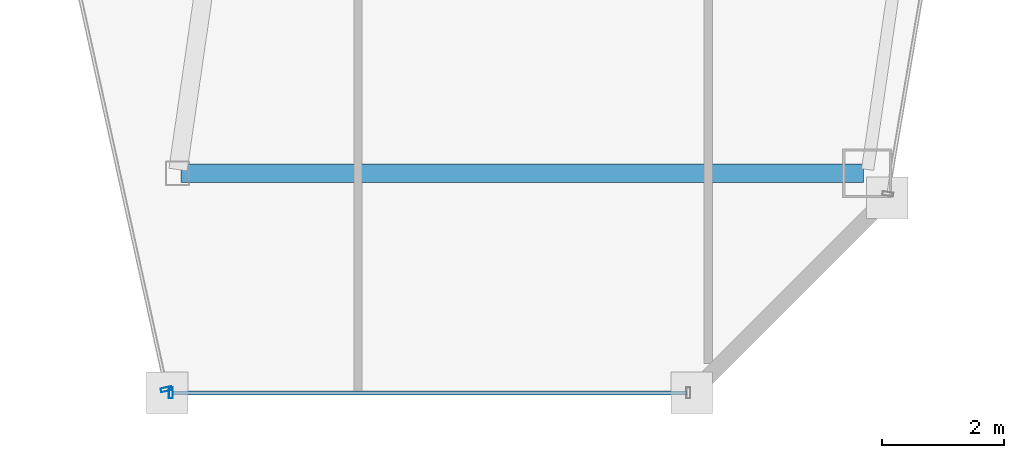
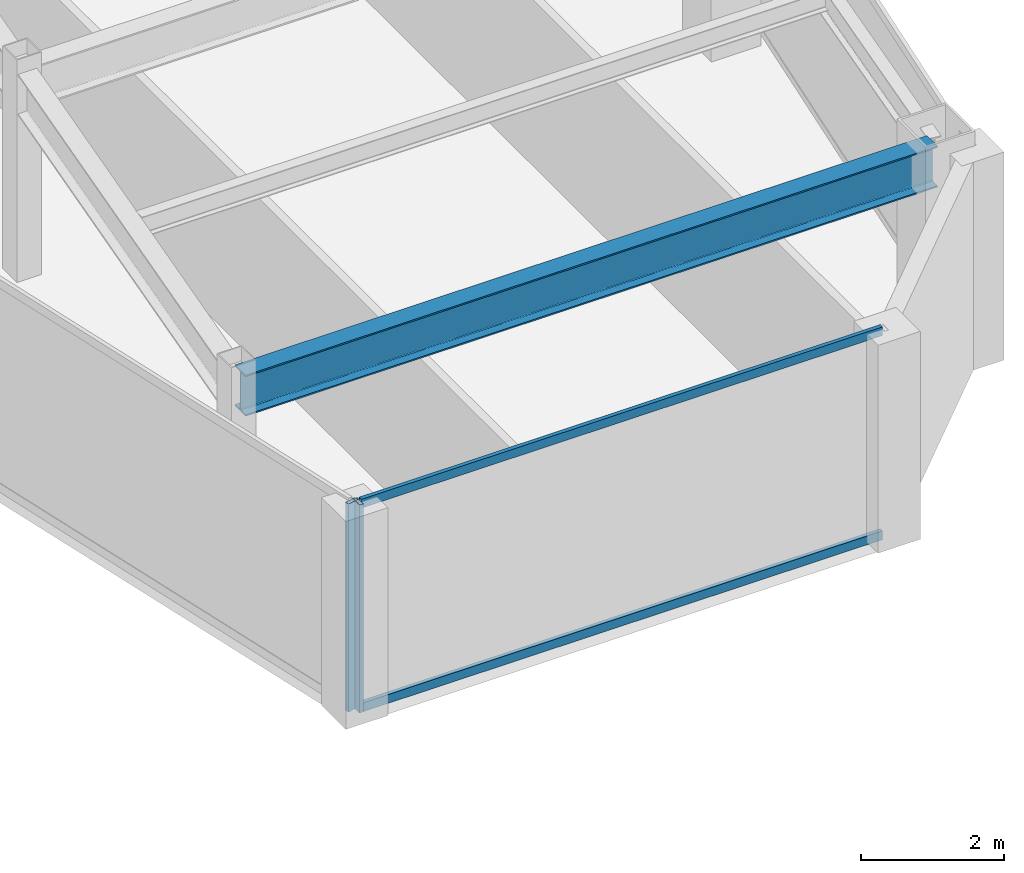
# One storey, part 16 of 36: 4 members, 1 beam, 2 elements without a shape of their own.
"""IFC4 building model written with IfcOpenShell, lengths in metres."""

from ifc_helpers import new_model, si_unit, direction, frame, origin, origin_2d, place, context, subcontext, project, spatial, hollow_rectangle, i_section, extrude, material, material_profile, profile_set, type_object, element, aggregate, save


model = new_model("IFC4")

# Units and contexts
model_context = context("Model", 3, precision=1e-05, world=origin(), true_north=direction((0.0, 1.0)))
body_context = subcontext(model_context, "Body", "Model", "MODEL_VIEW")
ifc_project = project(units=[si_unit("LENGTHUNIT", "METRE"), si_unit("AREAUNIT", "SQUARE_METRE"), si_unit("VOLUMEUNIT", "CUBIC_METRE"), si_unit("PLANEANGLEUNIT", "RADIAN"), si_unit("MASSUNIT", "GRAM", prefix="KILO")], contexts=[model_context])

# Site, building, storey
site_placement = place(None, origin())
site = spatial("IfcSite", under=ifc_project, at=site_placement, CompositionType="ELEMENT")
building_placement = place(site_placement, origin())
building = spatial("IfcBuilding", under=site, at=building_placement, Name="Saevonmaru Cultural Tower", CompositionType="ELEMENT")
storey_placement = place(building_placement, frame((0.0, 0.0, 186.60009765625)))
storey = spatial("IfcBuildingStorey", under=building, at=storey_placement, Name="L42", CompositionType="ELEMENT", Elevation=186.60009765625)

# Beam
ifc_material_1 = material(Name="Steel SM355", Category="steel")
ifc_material_profile_1 = material_profile(ifc_material_1, i_section(OverallWidth=0.300048828125, OverallDepth=0.699951171875, WebThickness=0.012939453125, FlangeThickness=0.02392578125, FilletRadius=0.02587890625, at=origin_2d()), Name="H-700x300x13x24")
ifc_profile_set_1 = profile_set([ifc_material_profile_1], Name="Steel SM355")
beam_type = type_object("IfcBeamType", Name="BM-G-H700", PredefinedType="BEAM", material=ifc_profile_set_1)
beam_placement = place(storey_placement, frame((38.132080078125, 16.0, 3.199951171875), z_axis=(1.0, 0.0, 0.0), x_axis=(0.0, 1.0, 0.0)))
element("IfcBeam", 1, at=beam_placement, inside=storey, type_object=beam_type, Name="L42 East Wing Transverse Girder 1", PredefinedType="BEAM", context=body_context, shape_type="SweptSolid", body=[
    extrude(i_section(OverallWidth=0.300048828125, OverallDepth=0.699951171875, WebThickness=0.012939453125, FlangeThickness=0.02392578125, FilletRadius=0.02587890625, at=origin_2d()), origin(), (0.0, 0.0, 1.0), 11.179931640625),
])

# Curtain wall, member
ifc_material_2 = material(Name="Satin Bronze Anodised Aluminium", Category="aluminium")
curtain_wall_type = type_object("IfcCurtainWallType", Name="CW-TYP-B", PredefinedType="NOTDEFINED", material=ifc_material_2)
curtain_wall_1_placement = place(storey_placement, origin())
curtain_wall_1 = element("IfcCurtainWall", 2, at=curtain_wall_1_placement, inside=storey, type_object=curtain_wall_type, Name="L42 Unitised Curtain Wall E5", PredefinedType="NOTDEFINED")
ifc_material_profile_2 = material_profile(ifc_material_2, hollow_rectangle(XDim=0.06494140625, YDim=0.179931640625, WallThickness=0.00390625, at=origin_2d()), Name="ALU-MULL-180x65x4")
ifc_profile_set_2 = profile_set([ifc_material_profile_2], Name="Satin Bronze Anodised Aluminium")
member_type_1 = type_object("IfcMemberType", Name="ML-CW-180x65", PredefinedType="MULLION", material=ifc_profile_set_2)
member_1_placement = place(storey_placement, frame((37.889404296875, 12.45849609375, 0.0), z_axis=(0.0, 0.0, 1.0), x_axis=(0.215413319953, -0.976522965212, 0.0)))
member_1 = element("IfcMember", 3, at=member_1_placement, type_object=member_type_1, Name="CW-TW-L42-E5 mullion 2", PredefinedType="MULLION", context=body_context, shape_type="SweptSolid", body=[
    extrude(hollow_rectangle(XDim=0.06494140625, YDim=0.179931640625, WallThickness=0.00390625, at=origin_2d()), origin(), (0.0, 0.0, 1.0), 3.5498046875),
])
aggregate(curtain_wall_1, [member_1])

# Curtain wall, members
curtain_wall_2_placement = place(storey_placement, origin())
curtain_wall_2 = element("IfcCurtainWall", 4, at=curtain_wall_2_placement, inside=storey, type_object=curtain_wall_type, Name="L42 Unitised Curtain Wall E6", PredefinedType="NOTDEFINED")
member_2_placement = place(storey_placement, frame((37.962158203125, 12.39990234375, 0.0), z_axis=(0.0, 0.0, 1.0), x_axis=(1.0, 0.0, 0.0)))
member_2 = element("IfcMember", 5, at=member_2_placement, type_object=member_type_1, Name="CW-TW-L42-E6 mullion 1", PredefinedType="MULLION", context=body_context, shape_type="SweptSolid", body=[
    extrude(hollow_rectangle(XDim=0.06494140625, YDim=0.179931640625, WallThickness=0.00390625, at=origin_2d()), origin(), (0.0, 0.0, 1.0), 3.5498046875),
])
ifc_material_profile_3 = material_profile(ifc_material_2, hollow_rectangle(XDim=0.06494140625, YDim=0.14990234375, WallThickness=0.00390625, at=origin_2d()), Name="ALU-TRAN-150x65x4")
ifc_profile_set_3 = profile_set([ifc_material_profile_3], Name="Satin Bronze Anodised Aluminium")
member_type_2 = type_object("IfcMemberType", Name="TR-CW-150x65", PredefinedType="USERDEFINED", material=ifc_profile_set_3)
member_3_placement = place(storey_placement, frame((37.99462890625, 12.39990234375, 0.032470703125), z_axis=(1.0, 0.0, 0.0), x_axis=(0.0, 1.0, 0.0)))
member_3 = element("IfcMember", 6, at=member_3_placement, type_object=member_type_2, Name="CW-TW-L42-E6 transom 1.1", ObjectType="TRANSOM", PredefinedType="USERDEFINED", context=body_context, shape_type="SweptSolid", body=[
    extrude(hollow_rectangle(XDim=0.06494140625, YDim=0.14990234375, WallThickness=0.00390625, at=origin_2d()), origin(), (0.0, 0.0, 1.0), 8.4150390625),
])
member_4_placement = place(storey_placement, frame((37.99462890625, 12.39990234375, 3.517333984375), z_axis=(1.0, 0.0, 0.0), x_axis=(0.0, 1.0, 0.0)))
member_4 = element("IfcMember", 7, at=member_4_placement, type_object=member_type_2, Name="CW-TW-L42-E6 transom 1.2", ObjectType="TRANSOM", PredefinedType="USERDEFINED", context=body_context, shape_type="SweptSolid", body=[
    extrude(hollow_rectangle(XDim=0.06494140625, YDim=0.14990234375, WallThickness=0.00390625, at=origin_2d()), origin(), (0.0, 0.0, 1.0), 8.4150390625),
])
aggregate(curtain_wall_2, [member_2, member_3, member_4])

save(model, "model.ifc")
